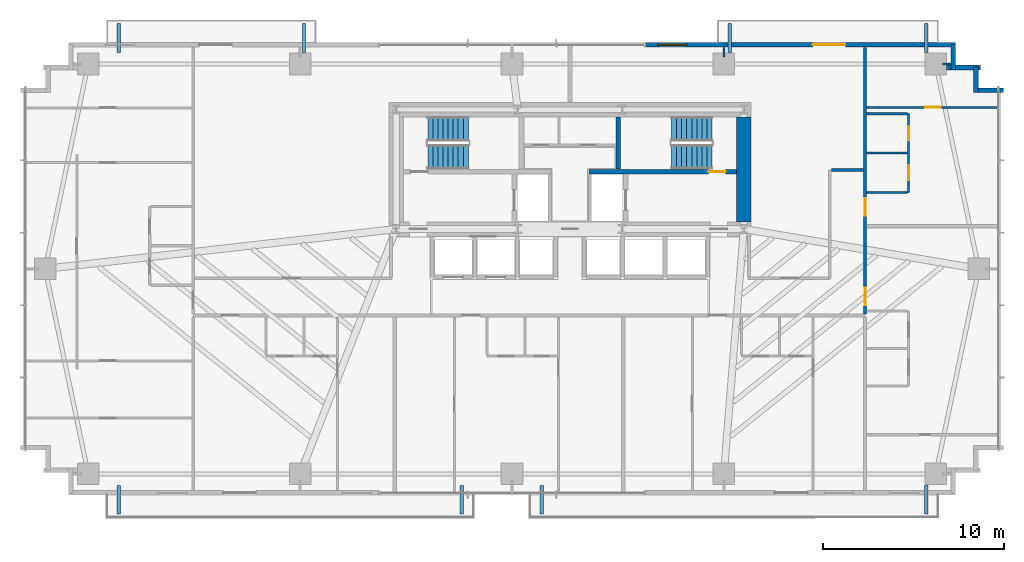
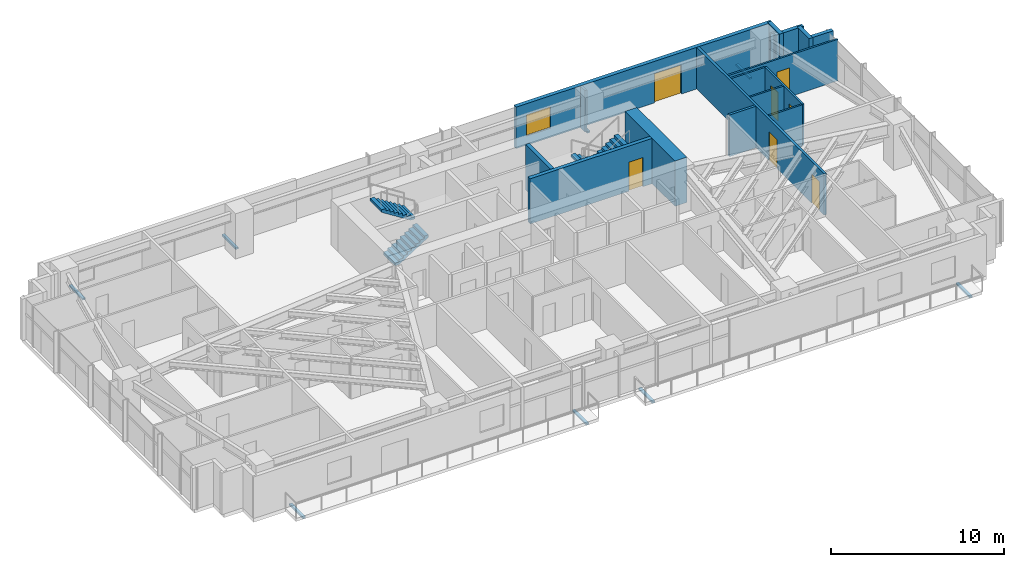
# One storey, part 22 of 25: 17 walls, 8 discrete accessories, 7 doors, 4 stair flights, 1 window, 8 openings, 2 elements without a shape of their own.
"""IFC4 building model written with IfcOpenShell, lengths in metres."""

from ifc_helpers import new_model, si_unit, direction, frame, frame_2d, origin, origin_2d, place, context, subcontext, project, spatial, polyline, rectangle, outline, extrude, source, transform, mapped, material, layer, layer_set, type_object, type_shapes, element, fill, aggregate, save


model = new_model("IFC4")

# Units and contexts
model_context = context("Model", 3, precision=1e-05, world=origin(), true_north=direction((0.0, 1.0)))
body_context = subcontext(model_context, "Body", "Model", "MODEL_VIEW")
ifc_project = project(units=[si_unit("LENGTHUNIT", "METRE"), si_unit("AREAUNIT", "SQUARE_METRE"), si_unit("VOLUMEUNIT", "CUBIC_METRE"), si_unit("PLANEANGLEUNIT", "RADIAN"), si_unit("MASSUNIT", "GRAM", prefix="KILO")], contexts=[model_context])

# Site, building, storey
site_placement = place(None, origin())
site = spatial("IfcSite", under=ifc_project, at=site_placement, CompositionType="ELEMENT")
building_placement = place(site_placement, origin())
building = spatial("IfcBuilding", under=site, at=building_placement, Name="Astriad Promenade Condominiums", CompositionType="ELEMENT")
storey_placement = place(building_placement, frame((0.0, 0.0, 45.39990234375)))
storey = spatial("IfcBuildingStorey", under=building, at=storey_placement, Name="L12", CompositionType="ELEMENT", Elevation=45.39990234375)

# Wall
ifc_material_1 = material(Name="Concrete C80/95", Category="concrete")
ifc_layer_1 = layer(ifc_material_1, 0.800048828125)
ifc_layer_set_1 = layer_set([ifc_layer_1], Name="Concrete C80/95")
wall_type_1 = type_object("IfcWallType", Name="CW-SHEAR-800", PredefinedType="SHEAR", material=ifc_layer_set_1)
wall_1_placement = place(storey_placement, frame((45.60009765625, 17.802001953125, 0.0), z_axis=(0.0, 0.0, 1.0), x_axis=(0.0, 1.0, 0.0)))
element("IfcWall", 1, at=wall_1_placement, inside=storey, type_object=wall_type_1, Name="CW-CORE-E-L12", PredefinedType="SHEAR", context=body_context, shape_type="SweptSolid", body=[
    extrude(rectangle(XDim=5.7958984375, YDim=0.800048828125, at=frame_2d((2.89794921875, 0.0))), origin(), (0.0, 0.0, 1.0), 3.2001953125),
])

# Wall, opening, door
ifc_material_2 = material(Name="Concrete C50/60", Category="concrete")
ifc_layer_2 = layer(ifc_material_2, 0.25)
ifc_layer_set_2 = layer_set([ifc_layer_2], Name="Concrete C50/60")
wall_type_2 = type_object("IfcWallType", Name="WALL-CORE-INT-250", PredefinedType="SOLIDWALL", material=ifc_layer_set_2)
wall_2_placement = place(storey_placement, frame((37.050048828125, 20.574951171875, 0.0), z_axis=(0.0, 0.0, 1.0), x_axis=(1.0, 0.0, 0.0)))
wall_2 = element("IfcWall", 2, at=wall_2_placement, inside=storey, type_object=wall_type_2, Name="CW-INT-H2-L12", PredefinedType="SOLIDWALL", context=body_context, shape_type="SweptSolid", body=[
    extrude(rectangle(XDim=8.14794921875, YDim=0.25, at=frame_2d((4.073974609375, 0.0))), origin(), (0.0, 0.0, 1.0), 3.2001953125),
])
opening_1_placement = place(wall_2_placement, frame((6.60009765625, 0.0, 0.0)))
opening_1 = element("IfcOpeningElement", 3, at=opening_1_placement, cuts=wall_2, Name="Opening FD90-ST-095", PredefinedType="OPENING", context=body_context, shape_type="SweptSolid", body=[
    extrude(rectangle(XDim=0.949951171875, YDim=2.06005859375, at=frame_2d((0.47509765625, 1.030029296875))), frame((0.0, 0.135009765625, 0.0), z_axis=(0.0, -1.0, 0.0), x_axis=(1.0, 0.0, 0.0)), (0.0, 0.0, 1.0), 0.27001953125),
])
ifc_material_3 = material(Name="Fire-Rated Hollow Metal Stair Door")
door_type_1 = type_object("IfcDoorType", Name="FD90-ST-095", OperationType="NOTDEFINED", PredefinedType="DOOR", material=ifc_material_3)
shared_shape_1 = source(origin(), body_context, "Body", "SweptSolid", [
    extrude(rectangle(XDim=0.949951171875, YDim=2.06005859375, at=frame_2d((0.47509765625, 1.030029296875))), frame((0.0, 0.02490234375, 0.0), z_axis=(0.0, -1.0, 0.0), x_axis=(1.0, 0.0, 0.0)), (0.0, 0.0, 1.0), 0.050048828125),
])
type_shapes(door_type_1, [shared_shape_1])
door_1_placement = place(opening_1_placement, origin())
door_1 = element("IfcDoor", 4, at=door_1_placement, inside=storey, type_object=door_type_1, Name="D-ST2-L12", OperationType="SINGLE_SWING_RIGHT", OverallHeight=2.06005859375, OverallWidth=0.949951171875, PredefinedType="DOOR", context=body_context, shape_type="MappedRepresentation", body=[
    mapped(shared_shape_1, transform((0.0, 0.0, 0.0), scale=1.0)),
])
fill(opening_1, door_1)

# Wall
wall_3_placement = place(storey_placement, frame((38.675048828125, 20.701904296875, 0.0), z_axis=(0.0, 0.0, 1.0), x_axis=(0.0, 1.0, 0.0)))
element("IfcWall", 5, at=wall_3_placement, inside=storey, type_object=wall_type_2, Name="CW-ST2-W-L12", PredefinedType="SOLIDWALL", context=body_context, shape_type="SweptSolid", body=[
    extrude(rectangle(XDim=2.89599609375, YDim=0.25, at=frame_2d((1.447998046875, 0.0))), origin(), (0.0, 0.0, 1.0), 3.2001953125),
])

# Wall, openings, doors
ifc_material_4 = material(Name="Fire-Rated Gypsum Partition")
ifc_layer_3 = layer(ifc_material_4, 0.159912109375)
ifc_layer_set_3 = layer_set([ifc_layer_3], Name="Fire-Rated Gypsum Partition")
wall_type_3 = type_object("IfcWallType", Name="WALL-CORR-160", PredefinedType="PARTITIONING", material=ifc_layer_set_3)
wall_4_placement = place(storey_placement, frame((52.300048828125, 12.7119140625, 0.0), z_axis=(0.0, 0.0, 1.0), x_axis=(0.0, 1.0, 0.0)))
wall_4 = element("IfcWall", 6, at=wall_4_placement, inside=storey, type_object=wall_type_3, Name="PT-COR-E-L12-S2", PredefinedType="PARTITIONING", context=body_context, shape_type="SweptSolid", body=[
    extrude(rectangle(XDim=14.72607421875, YDim=0.159912109375, at=frame_2d((7.363037109375, 0.0))), origin(), (0.0, 0.0, 1.0), 2.940185546875),
])
opening_2_placement = place(wall_4_placement, frame((0.492919921875, 0.0, 0.0)))
opening_2 = element("IfcOpeningElement", 7, at=opening_2_placement, cuts=wall_4, Name="Opening FD60-APT-095", PredefinedType="OPENING", context=body_context, shape_type="SweptSolid", body=[
    extrude(rectangle(XDim=0.949951171875, YDim=2.06005859375, at=frame_2d((0.47509765625, 1.030029296875))), frame((0.0, 0.08984375, 0.0), z_axis=(0.0, -1.0, 0.0), x_axis=(1.0, 0.0, 0.0)), (0.0, 0.0, 1.0), 0.179931640625),
])
opening_3_placement = place(wall_4_placement, frame((5.43310546875, 0.0, 0.0)))
opening_3 = element("IfcOpeningElement", 8, at=opening_3_placement, cuts=wall_4, Name="Opening FD60-APT-095", PredefinedType="OPENING", context=body_context, shape_type="SweptSolid", body=[
    extrude(rectangle(XDim=0.949951171875, YDim=2.06005859375, at=frame_2d((0.47509765625, 1.030029296875))), frame((0.0, 0.08984375, 0.0), z_axis=(0.0, -1.0, 0.0), x_axis=(1.0, 0.0, 0.0)), (0.0, 0.0, 1.0), 0.179931640625),
])
ifc_material_5 = material(Name="Solid-Core Acoustic Timber Residence Entry Door", Category="wood")
door_type_2 = type_object("IfcDoorType", Name="FD60-APT-095", OperationType="NOTDEFINED", PredefinedType="DOOR", material=ifc_material_5)
shared_shape_2 = source(origin(), body_context, "Body", "SweptSolid", [
    extrude(rectangle(XDim=0.949951171875, YDim=2.06005859375, at=frame_2d((0.47509765625, 1.030029296875))), frame((0.0, 0.02490234375, 0.0), z_axis=(0.0, -1.0, 0.0), x_axis=(1.0, 0.0, 0.0)), (0.0, 0.0, 1.0), 0.050048828125),
])
type_shapes(door_type_2, [shared_shape_2])
door_2_placement = place(opening_2_placement, origin())
door_2 = element("IfcDoor", 9, at=door_2_placement, inside=storey, type_object=door_type_2, Name="D-ENT-L12-E1", OperationType="SINGLE_SWING_LEFT", OverallHeight=2.06005859375, OverallWidth=0.949951171875, PredefinedType="DOOR", context=body_context, shape_type="MappedRepresentation", body=[
    mapped(shared_shape_2, transform((0.0, 0.0, 0.0), scale=1.0)),
])
fill(opening_2, door_2)
door_3_placement = place(opening_3_placement, origin())
door_3 = element("IfcDoor", 10, at=door_3_placement, inside=storey, type_object=door_type_2, Name="D-ENT-L12-E2", OperationType="SINGLE_SWING_LEFT", OverallHeight=2.06005859375, OverallWidth=0.949951171875, PredefinedType="DOOR", context=body_context, shape_type="MappedRepresentation", body=[
    mapped(shared_shape_2, transform((0.0, 0.0, 0.0), scale=1.0)),
])
fill(opening_3, door_3)

# Wall
wall_5_placement = place(storey_placement, frame((50.431884765625, 20.64990234375, 0.0), z_axis=(0.0, 0.0, 1.0), x_axis=(1.0, 0.0, 0.0)))
element("IfcWall", 11, at=wall_5_placement, inside=storey, type_object=wall_type_3, Name="PT-EALC-N-L12", PredefinedType="PARTITIONING", context=body_context, shape_type="SweptSolid", body=[
    extrude(rectangle(XDim=1.7861328125, YDim=0.159912109375, at=frame_2d((0.89306640625, 0.0))), origin(), (0.0, 0.0, 1.0), 2.940185546875),
])

# Wall, openings, door, window
ifc_material_6 = material(Name="Precast concrete C50/60", Category="concrete")
ifc_layer_4 = layer(ifc_material_6, 0.260009765625)
ifc_layer_set_4 = layer_set([ifc_layer_4], Name="Precast concrete C50/60")
wall_type_4 = type_object("IfcWallType", Name="WALL-EXT-TWR-260", PredefinedType="STANDARD", material=ifc_layer_set_4)
wall_6_placement = place(storey_placement, frame((40.14990234375, 27.570068359375, 0.0), z_axis=(0.0, 0.0, 1.0), x_axis=(1.0, 0.0, 0.0)))
wall_6 = element("IfcWall", 12, at=wall_6_placement, inside=storey, type_object=wall_type_4, Name="W-EXT-L12-N2", PredefinedType="STANDARD", context=body_context, shape_type="SweptSolid", body=[
    extrude(rectangle(XDim=17.150146484375, YDim=0.260009765625, at=frame_2d((8.5751953125, 0.0))), origin(), (0.0, 0.0, 1.0), 2.940185546875),
])
opening_4_placement = place(wall_6_placement, frame((9.260009765625, 0.0, 0.0)))
opening_4 = element("IfcOpeningElement", 13, at=opening_4_placement, cuts=wall_6, Name="Opening BD-1822-SLD", PredefinedType="OPENING", context=body_context, shape_type="SweptSolid", body=[
    extrude(rectangle(XDim=1.800048828125, YDim=2.06005859375, at=frame_2d((0.89990234375, 1.030029296875))), frame((0.0, 0.139892578125, 0.0), z_axis=(0.0, -1.0, 0.0), x_axis=(1.0, 0.0, 0.0)), (0.0, 0.0, 1.0), 0.280029296875),
])
opening_5_placement = place(wall_6_placement, frame((0.699951171875, 0.0, 0.64990234375)))
opening_5 = element("IfcOpeningElement", 14, at=opening_5_placement, cuts=wall_6, Name="Opening WIN-TWR-1620", PredefinedType="OPENING", context=body_context, shape_type="SweptSolid", body=[
    extrude(rectangle(XDim=1.60009765625, YDim=1.5, at=frame_2d((0.800048828125, 0.75))), frame((0.0, 0.139892578125, 0.0), z_axis=(0.0, -1.0, 0.0), x_axis=(1.0, 0.0, 0.0)), (0.0, 0.0, 1.0), 0.280029296875),
])
ifc_material_7 = material(Name="Thermally Broken Aluminium Sliding Balcony Door", Category="aluminium")
door_type_3 = type_object("IfcDoorType", Name="BD-1822-SLD", OperationType="NOTDEFINED", PredefinedType="DOOR", material=ifc_material_7)
shared_shape_3 = source(origin(), body_context, "Body", "SweptSolid", [
    extrude(rectangle(XDim=1.800048828125, YDim=2.06005859375, at=frame_2d((0.89990234375, 1.030029296875))), frame((0.0, 0.02490234375, 0.0), z_axis=(0.0, -1.0, 0.0), x_axis=(1.0, 0.0, 0.0)), (0.0, 0.0, 1.0), 0.050048828125),
])
type_shapes(door_type_3, [shared_shape_3])
door_4_placement = place(opening_4_placement, origin())
door_4 = element("IfcDoor", 15, at=door_4_placement, inside=storey, type_object=door_type_3, Name="BD-L12-NE", OperationType="SLIDING_TO_RIGHT", OverallHeight=2.06005859375, OverallWidth=1.800048828125, PredefinedType="DOOR", context=body_context, shape_type="MappedRepresentation", body=[
    mapped(shared_shape_3, transform((0.0, 0.0, 0.0), scale=1.0)),
])
fill(opening_4, door_4)
ifc_material_8 = material(Name="Dark Tinted Triple-Glazed Aluminium Window", Category="aluminium")
window_type = type_object("IfcWindowType", Name="WIN-TWR-1620", PartitioningType="SINGLE_PANEL", PredefinedType="WINDOW", material=ifc_material_8)
shared_shape_4 = source(origin(), body_context, "Body", "SweptSolid", [
    extrude(rectangle(XDim=1.60009765625, YDim=1.5, at=frame_2d((0.800048828125, 0.75))), frame((0.0, 0.030029296875, 0.0), z_axis=(0.0, -1.0, 0.0), x_axis=(1.0, 0.0, 0.0)), (0.0, 0.0, 1.0), 0.06005859375),
])
type_shapes(window_type, [shared_shape_4])
window_placement = place(opening_5_placement, origin())
window = element("IfcWindow", 16, at=window_placement, inside=storey, type_object=window_type, Name="WIN-L12-NE", OverallHeight=1.5, OverallWidth=1.60009765625, PartitioningType="SINGLE_PANEL", PredefinedType="WINDOW", context=body_context, shape_type="MappedRepresentation", body=[
    mapped(shared_shape_4, transform((0.0, 0.0, 0.0), scale=1.0)),
])
fill(opening_5, window)

# Walls
wall_7_placement = place(storey_placement, frame((57.169921875, 27.5849609375, 0.0), z_axis=(0.0, 0.0, 1.0), x_axis=(0.0, -1.0, 0.0)))
element("IfcWall", 17, at=wall_7_placement, inside=storey, type_object=wall_type_4, Name="W-SER-L12-09", PredefinedType="STANDARD", context=body_context, shape_type="SweptSolid", body=[
    extrude(rectangle(XDim=1.39501953125, YDim=0.260009765625, at=frame_2d((0.697509765625, 0.0))), origin(), (0.0, 0.0, 1.0), 2.940185546875),
])
wall_8_placement = place(storey_placement, frame((56.802001953125, 26.320068359375, 0.0), z_axis=(0.0, 0.0, 1.0), x_axis=(1.0, 0.0, 0.0)))
element("IfcWall", 18, at=wall_8_placement, inside=storey, type_object=wall_type_4, Name="W-SER-L12-10", PredefinedType="STANDARD", context=body_context, shape_type="SweptSolid", body=[
    extrude(rectangle(XDim=1.8779296875, YDim=0.260009765625, at=frame_2d((0.93896484375, 0.0))), origin(), (0.0, 0.0, 1.0), 2.940185546875),
])
for number, where, z_axis, x_axis, name in (
    (19, (58.419921875, 26.3349609375, 0.0), (0.0, 0.0, 1.0), (0.0, -1.0, 0.0), "W-SER-L12-11"),
    (20, (58.534912109375, 25.070068359375, 0.0), (0.0, 0.0, 1.0), (1.0, 0.0, 0.0), "W-SER-L12-12"),
):
    element("IfcWall", number, at=place(storey_placement, frame(where, z_axis=z_axis, x_axis=x_axis)), inside=storey, type_object=wall_type_4, Name=name, PredefinedType="STANDARD", context=body_context, shape_type="SweptSolid", body=[
        extrude(rectangle(XDim=1.39501953125, YDim=0.260009765625, at=frame_2d((0.697509765625, 0.0))), origin(), (0.0, 0.0, 1.0), 2.940185546875),
    ])

# Wall, openings, doors
ifc_material_9 = material(Name="Acoustic Metal-Stud Gypsum Partition")
ifc_layer_5 = layer(ifc_material_9, 0.1201171875)
ifc_layer_set_5 = layer_set([ifc_layer_5], Name="Acoustic Metal-Stud Gypsum Partition")
wall_type_5 = type_object("IfcWallType", Name="WALL-PART-120", PredefinedType="PARTITIONING", material=ifc_layer_set_5)
wall_9_placement = place(storey_placement, frame((54.699951171875, 19.419921875, 0.0), z_axis=(0.0, 0.0, 1.0), x_axis=(0.0, 1.0, 0.0)))
wall_9 = element("IfcWall", 21, at=wall_9_placement, inside=storey, type_object=wall_type_5, Name="PT-L12-E2-PV", PredefinedType="PARTITIONING", context=body_context, shape_type="SweptSolid", body=[
    extrude(rectangle(XDim=4.35009765625, YDim=0.1201171875, at=frame_2d((2.175048828125, 0.0))), origin(), (0.0, 0.0, 1.0), 2.940185546875),
])
opening_6_placement = place(wall_9_placement, frame((0.6630859375, 0.0, 0.0)))
opening_6 = element("IfcOpeningElement", 22, at=opening_6_placement, cuts=wall_9, Name="Opening D-INT-085", PredefinedType="OPENING", context=body_context, shape_type="SweptSolid", body=[
    extrude(rectangle(XDim=0.85009765625, YDim=2.050048828125, at=frame_2d((0.425048828125, 1.02490234375))), frame((0.0, 0.070068359375, 0.0), z_axis=(0.0, -1.0, 0.0), x_axis=(1.0, 0.0, 0.0)), (0.0, 0.0, 1.0), 0.14013671875),
])
opening_7_placement = place(wall_9_placement, frame((2.862060546875, 0.0, 0.0)))
opening_7 = element("IfcOpeningElement", 23, at=opening_7_placement, cuts=wall_9, Name="Opening D-WET-080", PredefinedType="OPENING", context=body_context, shape_type="SweptSolid", body=[
    extrude(rectangle(XDim=0.800048828125, YDim=2.02001953125, at=frame_2d((0.39990234375, 1.010009765625))), frame((0.0, 0.070068359375, 0.0), z_axis=(0.0, -1.0, 0.0), x_axis=(1.0, 0.0, 0.0)), (0.0, 0.0, 1.0), 0.14013671875),
])
ifc_material_10 = material(Name="Moisture-Resistant Timber Bathroom Door", Category="wood")
door_type_4 = type_object("IfcDoorType", Name="D-WET-080", OperationType="NOTDEFINED", PredefinedType="DOOR", material=ifc_material_10)
shared_shape_5 = source(origin(), body_context, "Body", "SweptSolid", [
    extrude(rectangle(XDim=0.800048828125, YDim=2.02001953125, at=frame_2d((0.39990234375, 1.010009765625))), frame((0.0, 0.02490234375, 0.0), z_axis=(0.0, -1.0, 0.0), x_axis=(1.0, 0.0, 0.0)), (0.0, 0.0, 1.0), 0.050048828125),
])
type_shapes(door_type_4, [shared_shape_5])
door_5_placement = place(opening_7_placement, origin())
door_5 = element("IfcDoor", 24, at=door_5_placement, inside=storey, type_object=door_type_4, Name="D-BTH-L12-E2", OperationType="SINGLE_SWING_LEFT", OverallHeight=2.02001953125, OverallWidth=0.800048828125, PredefinedType="DOOR", context=body_context, shape_type="MappedRepresentation", body=[
    mapped(shared_shape_5, transform((0.0, 0.0, 0.0), scale=1.0)),
])
fill(opening_7, door_5)
ifc_material_11 = material(Name="Painted Solid-Core Timber Room Door", Category="wood")
door_type_5 = type_object("IfcDoorType", Name="D-INT-085", OperationType="NOTDEFINED", PredefinedType="DOOR", material=ifc_material_11)
shared_shape_6 = source(origin(), body_context, "Body", "SweptSolid", [
    extrude(rectangle(XDim=0.85009765625, YDim=2.050048828125, at=frame_2d((0.425048828125, 1.02490234375))), frame((0.0, 0.02490234375, 0.0), z_axis=(0.0, -1.0, 0.0), x_axis=(1.0, 0.0, 0.0)), (0.0, 0.0, 1.0), 0.050048828125),
])
type_shapes(door_type_5, [shared_shape_6])
door_6_placement = place(opening_6_placement, origin())
door_6 = element("IfcDoor", 25, at=door_6_placement, inside=storey, type_object=door_type_5, Name="D-KIT-L12-E2", OperationType="SINGLE_SWING_RIGHT", OverallHeight=2.050048828125, OverallWidth=0.85009765625, PredefinedType="DOOR", context=body_context, shape_type="MappedRepresentation", body=[
    mapped(shared_shape_6, transform((0.0, 0.0, 0.0), scale=1.0)),
])
fill(opening_6, door_6)

# Walls
for number, where, z_axis, x_axis, name in (
    (26, (52.382080078125, 21.594970703125, 0.0), (0.0, 0.0, 1.0), (1.0, 0.0, 0.0), "PT-L12-E2-PM"),
    (27, (52.382080078125, 19.419921875, 0.0), (0.0, 0.0, 1.0), (1.0, 0.0, 0.0), "PT-L12-E2-PS"),
    (28, (52.382080078125, 23.77001953125, 0.0), (0.0, 0.0, 1.0), (1.0, 0.0, 0.0), "PT-L12-E2-PN"),
):
    element("IfcWall", number, at=place(storey_placement, frame(where, z_axis=z_axis, x_axis=x_axis)), inside=storey, type_object=wall_type_5, Name=name, PredefinedType="PARTITIONING", context=body_context, shape_type="SweptSolid", body=[
        extrude(rectangle(XDim=2.255859375, YDim=0.1201171875, at=frame_2d((1.1279296875, 0.0))), origin(), (0.0, 0.0, 1.0), 2.940185546875),
    ])

# Wall, opening, door
wall_10_placement = place(storey_placement, frame((52.382080078125, 24.1201171875, 0.0), z_axis=(0.0, 0.0, 1.0), x_axis=(1.0, 0.0, 0.0)))
wall_10 = element("IfcWall", 29, at=wall_10_placement, inside=storey, type_object=wall_type_5, Name="PT-L12-E2-B1", PredefinedType="PARTITIONING", context=body_context, shape_type="SweptSolid", body=[
    extrude(rectangle(XDim=7.337890625, YDim=0.1201171875, at=frame_2d((3.6689453125, 0.0))), origin(), (0.0, 0.0, 1.0), 2.940185546875),
])
opening_8_placement = place(wall_10_placement, frame((3.2529296875, 0.0, 0.0)))
opening_8 = element("IfcOpeningElement", 30, at=opening_8_placement, cuts=wall_10, Name="Opening D-INT-085", PredefinedType="OPENING", context=body_context, shape_type="SweptSolid", body=[
    extrude(rectangle(XDim=0.85009765625, YDim=2.050048828125, at=frame_2d((0.425048828125, 1.02490234375))), frame((0.0, 0.070068359375, 0.0), z_axis=(0.0, -1.0, 0.0), x_axis=(1.0, 0.0, 0.0)), (0.0, 0.0, 1.0), 0.14013671875),
])
door_7_placement = place(opening_8_placement, origin())
door_7 = element("IfcDoor", 31, at=door_7_placement, inside=storey, type_object=door_type_5, Name="D-BD1-L12-E2", OperationType="SINGLE_SWING_RIGHT", OverallHeight=2.050048828125, OverallWidth=0.85009765625, PredefinedType="DOOR", context=body_context, shape_type="MappedRepresentation", body=[
    mapped(shared_shape_6, transform((0.0, 0.0, 0.0), scale=1.0)),
])
fill(opening_8, door_7)

# Walls
wall_11_placement = place(storey_placement, frame((44.5, 26.89990234375, 0.0), z_axis=(0.0, 0.0, 1.0), x_axis=(0.0, 1.0, 0.0)))
element("IfcWall", 32, at=wall_11_placement, inside=storey, type_object=wall_type_5, Name="PT-PIL-L12-PC09-16", PredefinedType="PARTITIONING", context=body_context, shape_type="SweptSolid", body=[
    extrude(rectangle(XDim=0.5380859375, YDim=0.1201171875, at=frame_2d((0.26904296875, 0.0))), origin(), (0.0, 0.0, 1.0), 2.940185546875),
])
wall_12_placement = place(storey_placement, frame((56.580078125, 26.52001953125, 0.0), z_axis=(0.0, 0.0, 1.0), x_axis=(1.0, 0.0, 0.0)))
element("IfcWall", 33, at=wall_12_placement, inside=storey, type_object=wall_type_5, Name="PT-PIL-L12-PC10-17", PredefinedType="PARTITIONING", context=body_context, shape_type="SweptSolid", body=[
    extrude(rectangle(XDim=0.4580078125, YDim=0.1201171875, at=frame_2d((0.22900390625, 0.0))), origin(), (0.0, 0.0, 1.0), 2.940185546875),
])

# Stair, stair flights
stair_type = type_object("IfcStairType", Name="STR-CORE-1350", PredefinedType="HALF_TURN_STAIR", material=ifc_material_2)
stair_1_placement = place(storey_placement, origin())
stair_1 = element("IfcStair", 34, at=stair_1_placement, inside=storey, type_object=stair_type, Name="L12 Enclosed Core Exit Stair ST-1", PredefinedType="HALF_TURN_STAIR")
stair_flight_type = type_object("IfcStairFlightType", Name="SFL-CORE-1350", PredefinedType="STRAIGHT", material=ifc_material_2)
shared_shape_7 = source(origin(), body_context, "Body", "SweptSolid", [
    extrude(outline(polyline([(0.0, 0.0), (0.0, 0.177734375), (0.280029296875, 0.177734375), (0.280029296875, 0.35546875), (0.56005859375, 0.35546875), (0.56005859375, 0.533447265625), (0.840087890625, 0.533447265625), (0.840087890625, 0.711181640625), (1.1201171875, 0.711181640625), (1.1201171875, 0.888916015625), (1.39990234375, 0.888916015625), (1.39990234375, 1.066650390625), (1.679931640625, 1.066650390625), (1.679931640625, 1.244384765625), (1.9599609375, 1.244384765625), (1.9599609375, 1.422119140625), (2.239990234375, 1.422119140625), (2.239990234375, 1.60009765625), (2.239990234375, 1.24462890625), (0.27978515625, 0.0), (0.0, 0.0)])), frame((0.0, 0.675048828125, 0.0), z_axis=(0.0, -1.0, 0.0), x_axis=(1.0, 0.0, 0.0)), (0.0, 0.0, 1.0), 1.35009765625),
])
type_shapes(stair_flight_type, [shared_shape_7])
stair_flight_1_placement = place(storey_placement, frame((28.14990234375, 21.375, 0.0), z_axis=(0.0, 0.0, 1.0), x_axis=(1.0, 0.0, 0.0)))
stair_flight_1 = element("IfcStairFlight", 35, at=stair_flight_1_placement, type_object=stair_flight_type, Name="ST-1 flight 1", NumberOfRisers=9, NumberOfTreads=8, PredefinedType="STRAIGHT", RiserHeight=0.177777778, TreadLength=0.28, context=body_context, shape_type="MappedRepresentation", body=[
    mapped(shared_shape_7, transform((0.0, 0.0, 0.0), scale=1.0)),
])
stair_flight_2_placement = place(storey_placement, frame((30.389892578125, 22.925048828125, 1.60009765625), z_axis=(0.0, 0.0, 1.0), x_axis=(-1.0, 0.0, 0.0)))
stair_flight_2 = element("IfcStairFlight", 36, at=stair_flight_2_placement, type_object=stair_flight_type, Name="ST-1 flight 2", NumberOfRisers=9, NumberOfTreads=8, PredefinedType="STRAIGHT", RiserHeight=0.177777778, TreadLength=0.28, context=body_context, shape_type="MappedRepresentation", body=[
    mapped(shared_shape_7, transform((0.0, 0.0, 0.0), scale=1.0)),
])
aggregate(stair_1, [stair_flight_1, stair_flight_2])

stair_2_placement = place(storey_placement, origin())
stair_2 = element("IfcStair", 37, at=stair_2_placement, inside=storey, type_object=stair_type, Name="L12 Enclosed Core Exit Stair ST-2", PredefinedType="HALF_TURN_STAIR")
stair_flight_3_placement = place(storey_placement, frame((43.85009765625, 22.925048828125, 0.0), z_axis=(0.0, 0.0, 1.0), x_axis=(-1.0, 0.0, 0.0)))
stair_flight_3 = element("IfcStairFlight", 38, at=stair_flight_3_placement, type_object=stair_flight_type, Name="ST-2 flight 1", NumberOfRisers=9, NumberOfTreads=8, PredefinedType="STRAIGHT", RiserHeight=0.177777778, TreadLength=0.28, context=body_context, shape_type="MappedRepresentation", body=[
    mapped(shared_shape_7, transform((0.0, 0.0, 0.0), scale=1.0)),
])
stair_flight_4_placement = place(storey_placement, frame((41.610107421875, 21.375, 1.60009765625), z_axis=(0.0, 0.0, 1.0), x_axis=(1.0, 0.0, 0.0)))
stair_flight_4 = element("IfcStairFlight", 39, at=stair_flight_4_placement, type_object=stair_flight_type, Name="ST-2 flight 2", NumberOfRisers=9, NumberOfTreads=8, PredefinedType="STRAIGHT", RiserHeight=0.177777778, TreadLength=0.28, context=body_context, shape_type="MappedRepresentation", body=[
    mapped(shared_shape_7, transform((0.0, 0.0, 0.0), scale=1.0)),
])
aggregate(stair_2, [stair_flight_3, stair_flight_4])

# Discrete accessories
ifc_material_12 = material(Name="Steel ASTM A572 Grade 50", Category="steel")
discrete_accessory_type = type_object("IfcDiscreteAccessoryType", Name="STEEL BALCONY OUTRIGGER BRACKET", PredefinedType="BRACKET", material=ifc_material_12)
shared_shape_8 = source(origin(), body_context, "Body", "SweptSolid", [
    extrude(rectangle(XDim=1.60009765625, YDim=0.179931640625, at=origin_2d()), origin(), (0.0, 0.0, 1.0), 0.1220703125),
])
type_shapes(discrete_accessory_type, [shared_shape_8])
for number, where, z_axis, x_axis, name in (
    (40, (11.0859375, 2.449951171875, -0.33984375), (0.0, 0.0, 1.0), (0.0, -1.0, 0.0), "Balcony Outrigger Bracket BAL-L12-SW-A"),
    (41, (30.02197265625, 2.449951171875, -0.33984375), (0.0, 0.0, 1.0), (0.0, -1.0, 0.0), "Balcony Outrigger Bracket BAL-L12-SW-B"),
    (42, (34.444091796875, 2.449951171875, -0.33984375), (0.0, 0.0, 1.0), (0.0, -1.0, 0.0), "Balcony Outrigger Bracket BAL-L12-SE-A"),
    (43, (55.673095703125, 2.449951171875, -0.33984375), (0.0, 0.0, 1.0), (0.0, -1.0, 0.0), "Balcony Outrigger Bracket BAL-L12-SE-B"),
    (44, (11.0859375, 27.949951171875, -0.33984375), (0.0, 0.0, 1.0), (0.0, 1.0, 0.0), "Balcony Outrigger Bracket BAL-L12-NW-A"),
    (45, (21.31005859375, 27.949951171875, -0.33984375), (0.0, 0.0, 1.0), (0.0, 1.0, 0.0), "Balcony Outrigger Bracket BAL-L12-NW-B"),
    (46, (44.820068359375, 27.949951171875, -0.33984375), (0.0, 0.0, 1.0), (0.0, 1.0, 0.0), "Balcony Outrigger Bracket BAL-L12-NE-A"),
    (47, (55.673095703125, 27.949951171875, -0.33984375), (0.0, 0.0, 1.0), (0.0, 1.0, 0.0), "Balcony Outrigger Bracket BAL-L12-NE-B"),
):
    element("IfcDiscreteAccessory", number, at=place(storey_placement, frame(where, z_axis=z_axis, x_axis=x_axis)), inside=storey, type_object=discrete_accessory_type, Name=name, PredefinedType="BRACKET", context=body_context, shape_type="MappedRepresentation", body=[
        mapped(shared_shape_8, transform((0.0, 0.0, 0.0), scale=1.0)),
    ])

save(model, "model.ifc")
